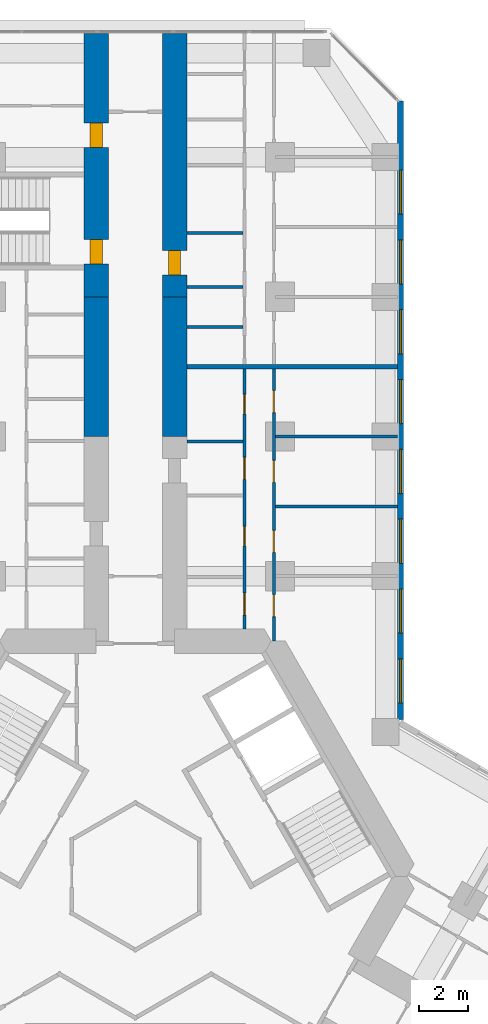
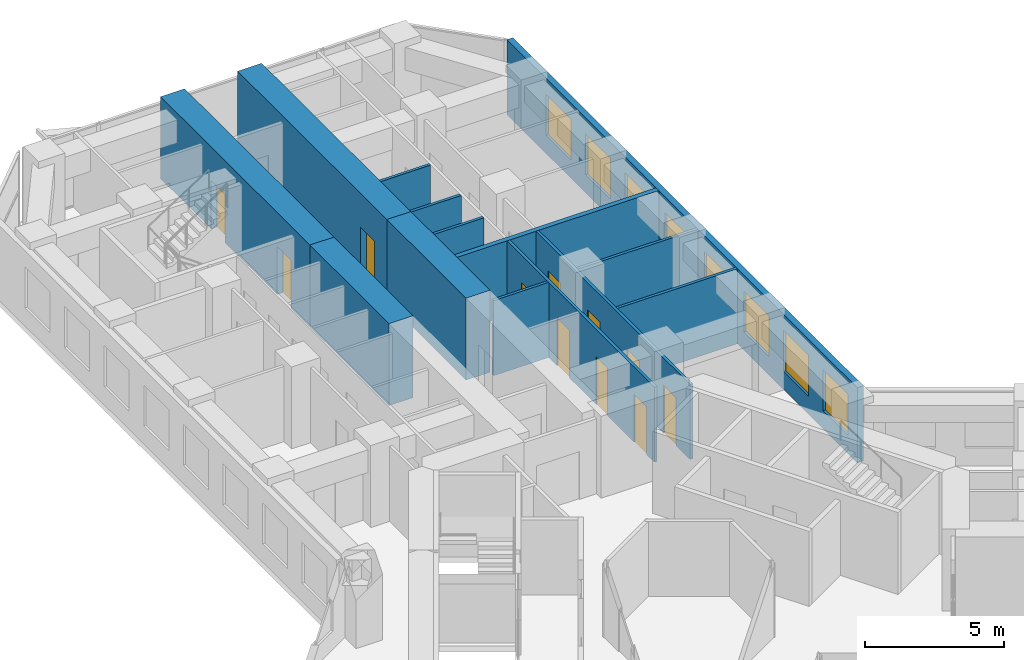
# One storey, part 18 of 21: 14 walls, 11 doors, 8 windows, 19 openings.
"""IFC4 building model written with IfcOpenShell, lengths in metres."""

from ifc_helpers import new_model, si_unit, direction, frame, frame_2d, origin, place, context, subcontext, project, spatial, rectangle, extrude, material, layer, layer_set, type_object, element, fill, save


model = new_model("IFC4")

# Units and contexts
model_context = context("Model", 3, precision=1e-05, world=origin(), true_north=direction((0.0, 1.0)))
body_context = subcontext(model_context, "Body", "Model", "MODEL_VIEW")
ifc_project = project(units=[si_unit("LENGTHUNIT", "METRE"), si_unit("AREAUNIT", "SQUARE_METRE"), si_unit("VOLUMEUNIT", "CUBIC_METRE"), si_unit("PLANEANGLEUNIT", "RADIAN"), si_unit("MASSUNIT", "GRAM", prefix="KILO")], contexts=[model_context])

# Site, building, storey
site_placement = place(None, origin())
site = spatial("IfcSite", under=ifc_project, at=site_placement, CompositionType="ELEMENT")
building_placement = place(site_placement, origin())
building = spatial("IfcBuilding", under=site, at=building_placement, Name="Kosmar Iwan School Tower", CompositionType="ELEMENT")
storey_placement = place(building_placement, frame((0.0, 0.0, 28.800048828125)))
storey = spatial("IfcBuildingStorey", under=building, at=storey_placement, Name="L06", CompositionType="ELEMENT", Elevation=28.800048828125)

# Wall
ifc_material_1 = material(Name="Concrete C50/60", Category="concrete")
ifc_layer_1 = layer(ifc_material_1, 1.0)
ifc_layer_set_1 = layer_set([ifc_layer_1], Name="Corridor buttress wall 1000")
wall_type_1 = type_object("IfcWallType", Name="Corridor buttress wall 1000", PredefinedType="SHEAR", material=ifc_layer_set_1)
wall_1_placement = place(storey_placement, frame((-1.60009765625, 17.949951171875, 0.0), z_axis=(0.0, 0.0, 1.0), x_axis=(0.0, 1.0, 0.0)))
element("IfcWall", 1, at=wall_1_placement, inside=storey, type_object=wall_type_1, Name="Corridor wall AL bay 2", PredefinedType="SHEAR", context=body_context, shape_type="SweptSolid", body=[
    extrude(rectangle(XDim=5.699951171875, YDim=1.0, at=frame_2d((2.85009765625, 0.0))), origin(), (0.0, 0.0, 1.0), 3.599853515625),
])

# Wall, openings, doors
wall_2_placement = place(storey_placement, frame((-1.60009765625, 23.64990234375, 0.0), z_axis=(0.0, 0.0, 1.0), x_axis=(0.0, 1.0, 0.0)))
wall_2 = element("IfcWall", 2, at=wall_2_placement, inside=storey, type_object=wall_type_1, Name="Corridor wall AL bay 3", PredefinedType="SHEAR", context=body_context, shape_type="SweptSolid", body=[
    extrude(rectangle(XDim=10.7451171875, YDim=1.0, at=frame_2d((5.37255859375, 0.0))), origin(), (0.0, 0.0, 1.0), 3.599853515625),
])
opening_1_placement = place(wall_2_placement, frame((6.10009765625, 0.0, 0.0)))
opening_1 = element("IfcOpeningElement", 3, at=opening_1_placement, cuts=wall_2, Name="Opening D1", PredefinedType="OPENING", context=body_context, shape_type="SweptSolid", body=[
    extrude(rectangle(XDim=1.0, YDim=2.10009765625, at=frame_2d((0.5, 1.050048828125))), frame((0.0, 0.511962890625, 0.0), z_axis=(0.0, -1.0, 0.0), x_axis=(1.0, 0.0, 0.0)), (0.0, 0.0, 1.0), 1.02392578125),
])
opening_2_placement = place(wall_2_placement, frame((1.35009765625, 0.0, 0.0)))
opening_2 = element("IfcOpeningElement", 4, at=opening_2_placement, cuts=wall_2, Name="Opening D6", PredefinedType="OPENING", context=body_context, shape_type="SweptSolid", body=[
    extrude(rectangle(XDim=1.0, YDim=2.10009765625, at=frame_2d((0.5, 1.050048828125))), frame((0.0, 0.511962890625, 0.0), z_axis=(0.0, -1.0, 0.0), x_axis=(1.0, 0.0, 0.0)), (0.0, 0.0, 1.0), 1.02392578125),
])
ifc_material_2 = material(Name="Timber fire door in steel frame", Category="steel")
door_type_1 = type_object("IfcDoorType", Name="Flat entrance door 1000x2100", OperationType="SINGLE_SWING_LEFT", PredefinedType="DOOR", material=ifc_material_2)
door_1_placement = place(opening_1_placement, origin())
door_1 = element("IfcDoor", 5, at=door_1_placement, inside=storey, type_object=door_type_1, Name="Flat L06-AL2 entrance door", OperationType="SINGLE_SWING_RIGHT", OverallHeight=2.10009765625, OverallWidth=1.0, PredefinedType="DOOR", context=body_context, shape_type="SweptSolid", body=[
    extrude(rectangle(XDim=1.0, YDim=2.10009765625, at=frame_2d((0.5, 1.050048828125))), frame((0.0, 0.25, 0.0), z_axis=(0.0, -1.0, 0.0), x_axis=(1.0, 0.0, 0.0)), (0.0, 0.0, 1.0), 0.5),
])
fill(opening_1, door_1)
ifc_material_3 = material(Name="Steel fire door", Category="steel")
door_type_2 = type_object("IfcDoorType", Name="Stair door 1000x2100", OperationType="SINGLE_SWING_LEFT", PredefinedType="DOOR", material=ifc_material_3)
door_2_placement = place(opening_2_placement, origin())
door_2 = element("IfcDoor", 6, at=door_2_placement, inside=storey, type_object=door_type_2, Name="Stair WS1 door L06", OperationType="SINGLE_SWING_LEFT", OverallHeight=2.10009765625, OverallWidth=1.0, PredefinedType="DOOR", context=body_context, shape_type="SweptSolid", body=[
    extrude(rectangle(XDim=1.0, YDim=2.10009765625, at=frame_2d((0.5, 1.050048828125))), frame((0.0, 0.25, 0.0), z_axis=(0.0, -1.0, 0.0), x_axis=(1.0, 0.0, 0.0)), (0.0, 0.0, 1.0), 0.5),
])
fill(opening_2, door_2)

# Wall
wall_3_placement = place(storey_placement, frame((1.60009765625, 17.949951171875, 0.0), z_axis=(0.0, 0.0, 1.0), x_axis=(0.0, 1.0, 0.0)))
element("IfcWall", 7, at=wall_3_placement, inside=storey, type_object=wall_type_1, Name="Corridor wall AR bay 2", PredefinedType="SHEAR", context=body_context, shape_type="SweptSolid", body=[
    extrude(rectangle(XDim=5.699951171875, YDim=1.0, at=frame_2d((2.85009765625, 0.0))), origin(), (0.0, 0.0, 1.0), 3.599853515625),
])

# Wall, opening, door
wall_4_placement = place(storey_placement, frame((1.60009765625, 23.64990234375, 0.0), z_axis=(0.0, 0.0, 1.0), x_axis=(0.0, 1.0, 0.0)))
wall_4 = element("IfcWall", 8, at=wall_4_placement, inside=storey, type_object=wall_type_1, Name="Corridor wall AR bay 3", PredefinedType="SHEAR", context=body_context, shape_type="SweptSolid", body=[
    extrude(rectangle(XDim=10.7451171875, YDim=1.0, at=frame_2d((5.37255859375, 0.0))), origin(), (0.0, 0.0, 1.0), 3.599853515625),
])
opening_3_placement = place(wall_4_placement, frame((0.89990234375, 0.0, 0.0)))
opening_3 = element("IfcOpeningElement", 9, at=opening_3_placement, cuts=wall_4, Name="Opening D1", PredefinedType="OPENING", context=body_context, shape_type="SweptSolid", body=[
    extrude(rectangle(XDim=1.0, YDim=2.10009765625, at=frame_2d((0.5, 1.050048828125))), frame((0.0, 0.511962890625, 0.0), z_axis=(0.0, -1.0, 0.0), x_axis=(1.0, 0.0, 0.0)), (0.0, 0.0, 1.0), 1.02392578125),
])
door_3_placement = place(opening_3_placement, origin())
door_3 = element("IfcDoor", 10, at=door_3_placement, inside=storey, type_object=door_type_1, Name="Flat L06-AR2 entrance door", OperationType="SINGLE_SWING_LEFT", OverallHeight=2.10009765625, OverallWidth=1.0, PredefinedType="DOOR", context=body_context, shape_type="SweptSolid", body=[
    extrude(rectangle(XDim=1.0, YDim=2.10009765625, at=frame_2d((0.5, 1.050048828125))), frame((0.0, 0.25, 0.0), z_axis=(0.0, -1.0, 0.0), x_axis=(1.0, 0.0, 0.0)), (0.0, 0.0, 1.0), 0.5),
])
fill(opening_3, door_3)

# Wall, openings, doors
ifc_material_4 = material(Name="Gypsum board on steel studs", Category="steel")
ifc_layer_2 = layer(ifc_material_4, 0.1201171875)
ifc_layer_set_2 = layer_set([ifc_layer_2], Name="Dwelling partition 120")
wall_type_2 = type_object("IfcWallType", Name="Dwelling partition 120", PredefinedType="PARTITIONING", material=ifc_layer_set_2)
wall_5_placement = place(storey_placement, frame((4.449951171875, 10.10009765625, 0.0), z_axis=(0.0, 0.0, 1.0), x_axis=(0.0, 1.0, 0.0)))
wall_5 = element("IfcWall", 11, at=wall_5_placement, inside=storey, type_object=wall_type_2, Name="Partition L06-AR1-W1", PredefinedType="PARTITIONING", context=body_context, shape_type="SweptSolid", body=[
    extrude(rectangle(XDim=10.599853515625, YDim=0.1201171875, at=frame_2d((5.2998046875, 0.0))), origin(), (0.0, 0.0, 1.0), 3.300048828125),
])
opening_4_placement = place(wall_5_placement, frame((0.56005859375, 0.0, 0.0)))
opening_4 = element("IfcOpeningElement", 12, at=opening_4_placement, cuts=wall_5, Name="Opening D2", PredefinedType="OPENING", context=body_context, shape_type="SweptSolid", body=[
    extrude(rectangle(XDim=0.89990234375, YDim=2.10009765625, at=frame_2d((0.449951171875, 1.050048828125))), frame((0.0, 0.072021484375, 0.0), z_axis=(0.0, -1.0, 0.0), x_axis=(1.0, 0.0, 0.0)), (0.0, 0.0, 1.0), 0.14404296875),
])
opening_5_placement = place(wall_5_placement, frame((3.385009765625, 0.0, 0.0)))
opening_5 = element("IfcOpeningElement", 13, at=opening_5_placement, cuts=wall_5, Name="Opening D3", PredefinedType="OPENING", context=body_context, shape_type="SweptSolid", body=[
    extrude(rectangle(XDim=0.800048828125, YDim=2.10009765625, at=frame_2d((0.39990234375, 1.050048828125))), frame((0.0, 0.072021484375, 0.0), z_axis=(0.0, -1.0, 0.0), x_axis=(1.0, 0.0, 0.0)), (0.0, 0.0, 1.0), 0.14404296875),
])
opening_6_placement = place(wall_5_placement, frame((6.10009765625, 0.0, 0.0)))
opening_6 = element("IfcOpeningElement", 14, at=opening_6_placement, cuts=wall_5, Name="Opening D2", PredefinedType="OPENING", context=body_context, shape_type="SweptSolid", body=[
    extrude(rectangle(XDim=0.89990234375, YDim=2.10009765625, at=frame_2d((0.449951171875, 1.050048828125))), frame((0.0, 0.072021484375, 0.0), z_axis=(0.0, -1.0, 0.0), x_axis=(1.0, 0.0, 0.0)), (0.0, 0.0, 1.0), 0.14404296875),
])
opening_7_placement = place(wall_5_placement, frame((8.77490234375, 0.0, 0.0)))
opening_7 = element("IfcOpeningElement", 15, at=opening_7_placement, cuts=wall_5, Name="Opening D3", PredefinedType="OPENING", context=body_context, shape_type="SweptSolid", body=[
    extrude(rectangle(XDim=0.800048828125, YDim=2.10009765625, at=frame_2d((0.39990234375, 1.050048828125))), frame((0.0, 0.072021484375, 0.0), z_axis=(0.0, -1.0, 0.0), x_axis=(1.0, 0.0, 0.0)), (0.0, 0.0, 1.0), 0.14404296875),
])
ifc_material_5 = material(Name="Timber door in timber frame", Category="wood")
door_type_3 = type_object("IfcDoorType", Name="Internal door 900x2100", OperationType="SINGLE_SWING_LEFT", PredefinedType="DOOR", material=ifc_material_5)
door_4_placement = place(opening_4_placement, origin())
door_4 = element("IfcDoor", 16, at=door_4_placement, inside=storey, type_object=door_type_3, Name="Pantry door L06-AR1-S1", OperationType="SINGLE_SWING_RIGHT", OverallHeight=2.10009765625, OverallWidth=0.89990234375, PredefinedType="DOOR", context=body_context, shape_type="SweptSolid", body=[
    extrude(rectangle(XDim=0.89990234375, YDim=2.10009765625, at=frame_2d((0.449951171875, 1.050048828125))), frame((0.0, 0.02490234375, 0.0), z_axis=(0.0, -1.0, 0.0), x_axis=(1.0, 0.0, 0.0)), (0.0, 0.0, 1.0), 0.050048828125),
])
fill(opening_4, door_4)
door_5_placement = place(opening_6_placement, origin())
door_5 = element("IfcDoor", 17, at=door_5_placement, inside=storey, type_object=door_type_3, Name="Entrance hall door L06-AR1-S3", OperationType="SINGLE_SWING_RIGHT", OverallHeight=2.10009765625, OverallWidth=0.89990234375, PredefinedType="DOOR", context=body_context, shape_type="SweptSolid", body=[
    extrude(rectangle(XDim=0.89990234375, YDim=2.10009765625, at=frame_2d((0.449951171875, 1.050048828125))), frame((0.0, 0.02490234375, 0.0), z_axis=(0.0, -1.0, 0.0), x_axis=(1.0, 0.0, 0.0)), (0.0, 0.0, 1.0), 0.050048828125),
])
fill(opening_6, door_5)
ifc_material_6 = material(Name="Timber door in timber frame", Category="wood")
door_type_4 = type_object("IfcDoorType", Name="Sanitary room door 800x2100", OperationType="SINGLE_SWING_LEFT", PredefinedType="DOOR", material=ifc_material_6)
door_6_placement = place(opening_5_placement, origin())
door_6 = element("IfcDoor", 18, at=door_6_placement, inside=storey, type_object=door_type_4, Name="Bathroom door L06-AR1-S2", OperationType="SINGLE_SWING_LEFT", OverallHeight=2.10009765625, OverallWidth=0.800048828125, PredefinedType="DOOR", context=body_context, shape_type="SweptSolid", body=[
    extrude(rectangle(XDim=0.800048828125, YDim=2.10009765625, at=frame_2d((0.39990234375, 1.050048828125))), frame((0.0, 0.02490234375, 0.0), z_axis=(0.0, -1.0, 0.0), x_axis=(1.0, 0.0, 0.0)), (0.0, 0.0, 1.0), 0.050048828125),
])
fill(opening_5, door_6)
door_7_placement = place(opening_7_placement, origin())
door_7 = element("IfcDoor", 19, at=door_7_placement, inside=storey, type_object=door_type_4, Name="WC door L06-AR1-S4", OperationType="SINGLE_SWING_RIGHT", OverallHeight=2.10009765625, OverallWidth=0.800048828125, PredefinedType="DOOR", context=body_context, shape_type="SweptSolid", body=[
    extrude(rectangle(XDim=0.800048828125, YDim=2.10009765625, at=frame_2d((0.39990234375, 1.050048828125))), frame((0.0, 0.02490234375, 0.0), z_axis=(0.0, -1.0, 0.0), x_axis=(1.0, 0.0, 0.0)), (0.0, 0.0, 1.0), 0.050048828125),
])
fill(opening_7, door_7)

wall_6_placement = place(storey_placement, frame((5.64990234375, 9.60009765625, 0.0), z_axis=(0.0, 0.0, 1.0), x_axis=(0.0, 1.0, 0.0)))
wall_6 = element("IfcWall", 20, at=wall_6_placement, inside=storey, type_object=wall_type_2, Name="Partition L06-AR1-W2", PredefinedType="PARTITIONING", context=body_context, shape_type="SweptSolid", body=[
    extrude(rectangle(XDim=11.099853515625, YDim=0.1201171875, at=frame_2d((5.5498046875, 0.0))), origin(), (0.0, 0.0, 1.0), 3.300048828125),
])
opening_8_placement = place(wall_6_placement, frame((1.0, 0.0, 0.0)))
opening_8 = element("IfcOpeningElement", 21, at=opening_8_placement, cuts=wall_6, Name="Opening D2", PredefinedType="OPENING", context=body_context, shape_type="SweptSolid", body=[
    extrude(rectangle(XDim=0.89990234375, YDim=2.10009765625, at=frame_2d((0.449951171875, 1.050048828125))), frame((0.0, 0.072021484375, 0.0), z_axis=(0.0, -1.0, 0.0), x_axis=(1.0, 0.0, 0.0)), (0.0, 0.0, 1.0), 0.14404296875),
])
opening_9_placement = place(wall_6_placement, frame((3.625, 0.0, 0.0)))
opening_9 = element("IfcOpeningElement", 22, at=opening_9_placement, cuts=wall_6, Name="Opening D2", PredefinedType="OPENING", context=body_context, shape_type="SweptSolid", body=[
    extrude(rectangle(XDim=0.89990234375, YDim=2.10009765625, at=frame_2d((0.449951171875, 1.050048828125))), frame((0.0, 0.072021484375, 0.0), z_axis=(0.0, -1.0, 0.0), x_axis=(1.0, 0.0, 0.0)), (0.0, 0.0, 1.0), 0.14404296875),
])
opening_10_placement = place(wall_6_placement, frame((6.47509765625, 0.0, 0.0)))
opening_10 = element("IfcOpeningElement", 23, at=opening_10_placement, cuts=wall_6, Name="Opening D2", PredefinedType="OPENING", context=body_context, shape_type="SweptSolid", body=[
    extrude(rectangle(XDim=0.89990234375, YDim=2.10009765625, at=frame_2d((0.449951171875, 1.050048828125))), frame((0.0, 0.072021484375, 0.0), z_axis=(0.0, -1.0, 0.0), x_axis=(1.0, 0.0, 0.0)), (0.0, 0.0, 1.0), 0.14404296875),
])
opening_11_placement = place(wall_6_placement, frame((9.324951171875, 0.0, 0.0)))
opening_11 = element("IfcOpeningElement", 24, at=opening_11_placement, cuts=wall_6, Name="Opening D2", PredefinedType="OPENING", context=body_context, shape_type="SweptSolid", body=[
    extrude(rectangle(XDim=0.89990234375, YDim=2.10009765625, at=frame_2d((0.449951171875, 1.050048828125))), frame((0.0, 0.072021484375, 0.0), z_axis=(0.0, -1.0, 0.0), x_axis=(1.0, 0.0, 0.0)), (0.0, 0.0, 1.0), 0.14404296875),
])
door_8_placement = place(opening_8_placement, origin())
door_8 = element("IfcDoor", 25, at=door_8_placement, inside=storey, type_object=door_type_3, Name="Living room and kitchen door L06-AR1-F1", OperationType="SINGLE_SWING_LEFT", OverallHeight=2.10009765625, OverallWidth=0.89990234375, PredefinedType="DOOR", context=body_context, shape_type="SweptSolid", body=[
    extrude(rectangle(XDim=0.89990234375, YDim=2.10009765625, at=frame_2d((0.449951171875, 1.050048828125))), frame((0.0, 0.02490234375, 0.0), z_axis=(0.0, -1.0, 0.0), x_axis=(1.0, 0.0, 0.0)), (0.0, 0.0, 1.0), 0.050048828125),
])
fill(opening_8, door_8)
door_9_placement = place(opening_9_placement, origin())
door_9 = element("IfcDoor", 26, at=door_9_placement, inside=storey, type_object=door_type_3, Name="Study door L06-AR1-F2", OperationType="SINGLE_SWING_LEFT", OverallHeight=2.10009765625, OverallWidth=0.89990234375, PredefinedType="DOOR", context=body_context, shape_type="SweptSolid", body=[
    extrude(rectangle(XDim=0.89990234375, YDim=2.10009765625, at=frame_2d((0.449951171875, 1.050048828125))), frame((0.0, 0.02490234375, 0.0), z_axis=(0.0, -1.0, 0.0), x_axis=(1.0, 0.0, 0.0)), (0.0, 0.0, 1.0), 0.050048828125),
])
fill(opening_9, door_9)
door_10_placement = place(opening_10_placement, origin())
door_10 = element("IfcDoor", 27, at=door_10_placement, inside=storey, type_object=door_type_3, Name="Study door L06-AR1-F3", OperationType="SINGLE_SWING_RIGHT", OverallHeight=2.10009765625, OverallWidth=0.89990234375, PredefinedType="DOOR", context=body_context, shape_type="SweptSolid", body=[
    extrude(rectangle(XDim=0.89990234375, YDim=2.10009765625, at=frame_2d((0.449951171875, 1.050048828125))), frame((0.0, 0.02490234375, 0.0), z_axis=(0.0, -1.0, 0.0), x_axis=(1.0, 0.0, 0.0)), (0.0, 0.0, 1.0), 0.050048828125),
])
fill(opening_10, door_10)
door_11_placement = place(opening_11_placement, origin())
door_11 = element("IfcDoor", 28, at=door_11_placement, inside=storey, type_object=door_type_3, Name="Bedroom 1 door L06-AR1-F4", OperationType="SINGLE_SWING_RIGHT", OverallHeight=2.10009765625, OverallWidth=0.89990234375, PredefinedType="DOOR", context=body_context, shape_type="SweptSolid", body=[
    extrude(rectangle(XDim=0.89990234375, YDim=2.10009765625, at=frame_2d((0.449951171875, 1.050048828125))), frame((0.0, 0.02490234375, 0.0), z_axis=(0.0, -1.0, 0.0), x_axis=(1.0, 0.0, 0.0)), (0.0, 0.0, 1.0), 0.050048828125),
])
fill(opening_11, door_11)

# Walls
for number, where, z_axis, x_axis, name in (
    (29, (5.7099609375, 15.10009765625, 0.0), (0.0, 0.0, 1.0), (1.0, 0.0, 0.0), "Partition L06-AR1-X2"),
    (30, (5.7099609375, 17.949951171875, 0.0), (0.0, 0.0, 1.0), (1.0, 0.0, 0.0), "Partition L06-AR1-X3"),
):
    element("IfcWall", number, at=place(storey_placement, frame(where, z_axis=z_axis, x_axis=x_axis)), inside=storey, type_object=wall_type_2, Name=name, PredefinedType="PARTITIONING", context=body_context, shape_type="SweptSolid", body=[
        extrude(rectangle(XDim=4.989990234375, YDim=0.1201171875, at=frame_2d((2.4951171875, 0.0))), origin(), (0.0, 0.0, 1.0), 3.300048828125),
    ])
for number, where, z_axis, x_axis, name in (
    (31, (2.10009765625, 17.75, 0.0), (0.0, 0.0, 1.0), (1.0, 0.0, 0.0), "Partition L06-AR1-Y3"),
    (32, (2.10009765625, 22.425048828125, 0.0), (0.0, 0.0, 1.0), (1.0, 0.0, 0.0), "Partition L06-AR2-Y1"),
    (33, (2.10009765625, 24.050048828125, 0.0), (0.0, 0.0, 1.0), (1.0, 0.0, 0.0), "Partition L06-AR2-Y2"),
    (34, (2.10009765625, 26.25, 0.0), (0.0, 0.0, 1.0), (1.0, 0.0, 0.0), "Partition L06-AR2-Y3"),
):
    element("IfcWall", number, at=place(storey_placement, frame(where, z_axis=z_axis, x_axis=x_axis)), inside=storey, type_object=wall_type_2, Name=name, PredefinedType="PARTITIONING", context=body_context, shape_type="SweptSolid", body=[
        extrude(rectangle(XDim=2.289794921875, YDim=0.1201171875, at=frame_2d((1.14501953125, 0.0))), origin(), (0.0, 0.0, 1.0), 3.300048828125),
    ])

# Wall, openings, windows
ifc_material_7 = material(Name="Black aluminium rainscreen on insulated framing", Category="aluminium")
ifc_layer_3 = layer(ifc_material_7, 0.25)
ifc_layer_set_3 = layer_set([ifc_layer_3], Name="External wall rainscreen 250")
wall_type_3 = type_object("IfcWallType", Name="External wall rainscreen 250", PredefinedType="SOLIDWALL", material=ifc_layer_set_3)
wall_7_placement = place(storey_placement, frame((10.824951171875, 6.408935546875, 0.0), z_axis=(0.0, 0.0, 1.0), x_axis=(0.0, 1.0, 0.0)))
wall_7 = element("IfcWall", 35, at=wall_7_placement, inside=storey, type_object=wall_type_3, Name="External wall AR L06", PredefinedType="SOLIDWALL", context=body_context, shape_type="SweptSolid", body=[
    extrude(rectangle(XDim=25.226318359375, YDim=0.25, at=frame_2d((12.61328125, 0.0))), origin(), (0.0, 0.0, 1.0), 3.300048828125),
])
opening_12_placement = place(wall_7_placement, frame((0.666015625, 0.0, 0.800048828125)))
opening_12 = element("IfcOpeningElement", 36, at=opening_12_placement, cuts=wall_7, Name="Opening W1", PredefinedType="OPENING", context=body_context, shape_type="SweptSolid", body=[
    extrude(rectangle(XDim=1.800048828125, YDim=1.800048828125, at=frame_2d((0.89990234375, 0.89990234375))), frame((0.0, 0.136962890625, 0.0), z_axis=(0.0, -1.0, 0.0), x_axis=(1.0, 0.0, 0.0)), (0.0, 0.0, 1.0), 0.27392578125),
])
opening_13_placement = place(wall_7_placement, frame((3.51611328125, 0.0, 0.800048828125)))
opening_13 = element("IfcOpeningElement", 37, at=opening_13_placement, cuts=wall_7, Name="Opening W1", PredefinedType="OPENING", context=body_context, shape_type="SweptSolid", body=[
    extrude(rectangle(XDim=1.800048828125, YDim=1.800048828125, at=frame_2d((0.89990234375, 0.89990234375))), frame((0.0, 0.136962890625, 0.0), z_axis=(0.0, -1.0, 0.0), x_axis=(1.0, 0.0, 0.0)), (0.0, 0.0, 1.0), 0.27392578125),
])
opening_14_placement = place(wall_7_placement, frame((6.365966796875, 0.0, 0.800048828125)))
opening_14 = element("IfcOpeningElement", 38, at=opening_14_placement, cuts=wall_7, Name="Opening W1", PredefinedType="OPENING", context=body_context, shape_type="SweptSolid", body=[
    extrude(rectangle(XDim=1.800048828125, YDim=1.800048828125, at=frame_2d((0.89990234375, 0.89990234375))), frame((0.0, 0.136962890625, 0.0), z_axis=(0.0, -1.0, 0.0), x_axis=(1.0, 0.0, 0.0)), (0.0, 0.0, 1.0), 0.27392578125),
])
opening_15_placement = place(wall_7_placement, frame((9.216064453125, 0.0, 0.800048828125)))
opening_15 = element("IfcOpeningElement", 39, at=opening_15_placement, cuts=wall_7, Name="Opening W1", PredefinedType="OPENING", context=body_context, shape_type="SweptSolid", body=[
    extrude(rectangle(XDim=1.800048828125, YDim=1.800048828125, at=frame_2d((0.89990234375, 0.89990234375))), frame((0.0, 0.136962890625, 0.0), z_axis=(0.0, -1.0, 0.0), x_axis=(1.0, 0.0, 0.0)), (0.0, 0.0, 1.0), 0.27392578125),
])
opening_16_placement = place(wall_7_placement, frame((12.06591796875, 0.0, 0.800048828125)))
opening_16 = element("IfcOpeningElement", 40, at=opening_16_placement, cuts=wall_7, Name="Opening W1", PredefinedType="OPENING", context=body_context, shape_type="SweptSolid", body=[
    extrude(rectangle(XDim=1.800048828125, YDim=1.800048828125, at=frame_2d((0.89990234375, 0.89990234375))), frame((0.0, 0.136962890625, 0.0), z_axis=(0.0, -1.0, 0.0), x_axis=(1.0, 0.0, 0.0)), (0.0, 0.0, 1.0), 0.27392578125),
])
opening_17_placement = place(wall_7_placement, frame((14.916015625, 0.0, 0.800048828125)))
opening_17 = element("IfcOpeningElement", 41, at=opening_17_placement, cuts=wall_7, Name="Opening W1", PredefinedType="OPENING", context=body_context, shape_type="SweptSolid", body=[
    extrude(rectangle(XDim=1.800048828125, YDim=1.800048828125, at=frame_2d((0.89990234375, 0.89990234375))), frame((0.0, 0.136962890625, 0.0), z_axis=(0.0, -1.0, 0.0), x_axis=(1.0, 0.0, 0.0)), (0.0, 0.0, 1.0), 0.27392578125),
])
opening_18_placement = place(wall_7_placement, frame((17.76611328125, 0.0, 0.800048828125)))
opening_18 = element("IfcOpeningElement", 42, at=opening_18_placement, cuts=wall_7, Name="Opening W1", PredefinedType="OPENING", context=body_context, shape_type="SweptSolid", body=[
    extrude(rectangle(XDim=1.800048828125, YDim=1.800048828125, at=frame_2d((0.89990234375, 0.89990234375))), frame((0.0, 0.136962890625, 0.0), z_axis=(0.0, -1.0, 0.0), x_axis=(1.0, 0.0, 0.0)), (0.0, 0.0, 1.0), 0.27392578125),
])
opening_19_placement = place(wall_7_placement, frame((20.615966796875, 0.0, 0.800048828125)))
opening_19 = element("IfcOpeningElement", 43, at=opening_19_placement, cuts=wall_7, Name="Opening W1", PredefinedType="OPENING", context=body_context, shape_type="SweptSolid", body=[
    extrude(rectangle(XDim=1.800048828125, YDim=1.800048828125, at=frame_2d((0.89990234375, 0.89990234375))), frame((0.0, 0.136962890625, 0.0), z_axis=(0.0, -1.0, 0.0), x_axis=(1.0, 0.0, 0.0)), (0.0, 0.0, 1.0), 0.27392578125),
])
ifc_material_8 = material(Name="Black aluminium frame with dark triple glazing", Category="aluminium")
window_type = type_object("IfcWindowType", Name="Window 1800x1800", PartitioningType="SINGLE_PANEL", PredefinedType="WINDOW", material=ifc_material_8)
window_1_placement = place(opening_12_placement, origin())
window_1 = element("IfcWindow", 44, at=window_1_placement, inside=storey, type_object=window_type, Name="Window AR L06 -1", OverallHeight=1.800048828125, OverallWidth=1.800048828125, PartitioningType="SINGLE_PANEL", PredefinedType="WINDOW", context=body_context, shape_type="SweptSolid", body=[
    extrude(rectangle(XDim=1.800048828125, YDim=1.800048828125, at=frame_2d((0.89990234375, 0.89990234375))), frame((0.0, 0.030029296875, 0.0), z_axis=(0.0, -1.0, 0.0), x_axis=(1.0, 0.0, 0.0)), (0.0, 0.0, 1.0), 0.06005859375),
])
fill(opening_12, window_1)
window_2_placement = place(opening_13_placement, origin())
window_2 = element("IfcWindow", 45, at=window_2_placement, inside=storey, type_object=window_type, Name="Window AR L06 0", OverallHeight=1.800048828125, OverallWidth=1.800048828125, PartitioningType="SINGLE_PANEL", PredefinedType="WINDOW", context=body_context, shape_type="SweptSolid", body=[
    extrude(rectangle(XDim=1.800048828125, YDim=1.800048828125, at=frame_2d((0.89990234375, 0.89990234375))), frame((0.0, 0.030029296875, 0.0), z_axis=(0.0, -1.0, 0.0), x_axis=(1.0, 0.0, 0.0)), (0.0, 0.0, 1.0), 0.06005859375),
])
fill(opening_13, window_2)
window_3_placement = place(opening_14_placement, origin())
window_3 = element("IfcWindow", 46, at=window_3_placement, inside=storey, type_object=window_type, Name="Window AR L06 1", OverallHeight=1.800048828125, OverallWidth=1.800048828125, PartitioningType="SINGLE_PANEL", PredefinedType="WINDOW", context=body_context, shape_type="SweptSolid", body=[
    extrude(rectangle(XDim=1.800048828125, YDim=1.800048828125, at=frame_2d((0.89990234375, 0.89990234375))), frame((0.0, 0.030029296875, 0.0), z_axis=(0.0, -1.0, 0.0), x_axis=(1.0, 0.0, 0.0)), (0.0, 0.0, 1.0), 0.06005859375),
])
fill(opening_14, window_3)
window_4_placement = place(opening_15_placement, origin())
window_4 = element("IfcWindow", 47, at=window_4_placement, inside=storey, type_object=window_type, Name="Window AR L06 2", OverallHeight=1.800048828125, OverallWidth=1.800048828125, PartitioningType="SINGLE_PANEL", PredefinedType="WINDOW", context=body_context, shape_type="SweptSolid", body=[
    extrude(rectangle(XDim=1.800048828125, YDim=1.800048828125, at=frame_2d((0.89990234375, 0.89990234375))), frame((0.0, 0.030029296875, 0.0), z_axis=(0.0, -1.0, 0.0), x_axis=(1.0, 0.0, 0.0)), (0.0, 0.0, 1.0), 0.06005859375),
])
fill(opening_15, window_4)
window_5_placement = place(opening_16_placement, origin())
window_5 = element("IfcWindow", 48, at=window_5_placement, inside=storey, type_object=window_type, Name="Window AR L06 3", OverallHeight=1.800048828125, OverallWidth=1.800048828125, PartitioningType="SINGLE_PANEL", PredefinedType="WINDOW", context=body_context, shape_type="SweptSolid", body=[
    extrude(rectangle(XDim=1.800048828125, YDim=1.800048828125, at=frame_2d((0.89990234375, 0.89990234375))), frame((0.0, 0.030029296875, 0.0), z_axis=(0.0, -1.0, 0.0), x_axis=(1.0, 0.0, 0.0)), (0.0, 0.0, 1.0), 0.06005859375),
])
fill(opening_16, window_5)
window_6_placement = place(opening_17_placement, origin())
window_6 = element("IfcWindow", 49, at=window_6_placement, inside=storey, type_object=window_type, Name="Window AR L06 4", OverallHeight=1.800048828125, OverallWidth=1.800048828125, PartitioningType="SINGLE_PANEL", PredefinedType="WINDOW", context=body_context, shape_type="SweptSolid", body=[
    extrude(rectangle(XDim=1.800048828125, YDim=1.800048828125, at=frame_2d((0.89990234375, 0.89990234375))), frame((0.0, 0.030029296875, 0.0), z_axis=(0.0, -1.0, 0.0), x_axis=(1.0, 0.0, 0.0)), (0.0, 0.0, 1.0), 0.06005859375),
])
fill(opening_17, window_6)
window_7_placement = place(opening_18_placement, origin())
window_7 = element("IfcWindow", 50, at=window_7_placement, inside=storey, type_object=window_type, Name="Window AR L06 5", OverallHeight=1.800048828125, OverallWidth=1.800048828125, PartitioningType="SINGLE_PANEL", PredefinedType="WINDOW", context=body_context, shape_type="SweptSolid", body=[
    extrude(rectangle(XDim=1.800048828125, YDim=1.800048828125, at=frame_2d((0.89990234375, 0.89990234375))), frame((0.0, 0.030029296875, 0.0), z_axis=(0.0, -1.0, 0.0), x_axis=(1.0, 0.0, 0.0)), (0.0, 0.0, 1.0), 0.06005859375),
])
fill(opening_18, window_7)
window_8_placement = place(opening_19_placement, origin())
window_8 = element("IfcWindow", 51, at=window_8_placement, inside=storey, type_object=window_type, Name="Window AR L06 6", OverallHeight=1.800048828125, OverallWidth=1.800048828125, PartitioningType="SINGLE_PANEL", PredefinedType="WINDOW", context=body_context, shape_type="SweptSolid", body=[
    extrude(rectangle(XDim=1.800048828125, YDim=1.800048828125, at=frame_2d((0.89990234375, 0.89990234375))), frame((0.0, 0.030029296875, 0.0), z_axis=(0.0, -1.0, 0.0), x_axis=(1.0, 0.0, 0.0)), (0.0, 0.0, 1.0), 0.06005859375),
])
fill(opening_19, window_8)

# Wall
ifc_material_9 = material(Name="Concrete block masonry", Category="masonry")
ifc_layer_4 = layer(ifc_material_9, 0.199951171875)
ifc_layer_set_4 = layer_set([ifc_layer_4], Name="Party wall 200")
wall_type_4 = type_object("IfcWallType", Name="Party wall 200", PredefinedType="PARTITIONING", material=ifc_layer_set_4)
wall_8_placement = place(storey_placement, frame((2.10009765625, 20.800048828125, 0.0), z_axis=(0.0, 0.0, 1.0), x_axis=(1.0, 0.0, 0.0)))
element("IfcWall", 52, at=wall_8_placement, inside=storey, type_object=wall_type_4, Name="Partition L06-AR2-PW", PredefinedType="PARTITIONING", context=body_context, shape_type="SweptSolid", body=[
    extrude(rectangle(XDim=8.599853515625, YDim=0.199951171875, at=frame_2d((4.2998046875, 0.0))), origin(), (0.0, 0.0, 1.0), 3.300048828125),
])

save(model, "model.ifc")
